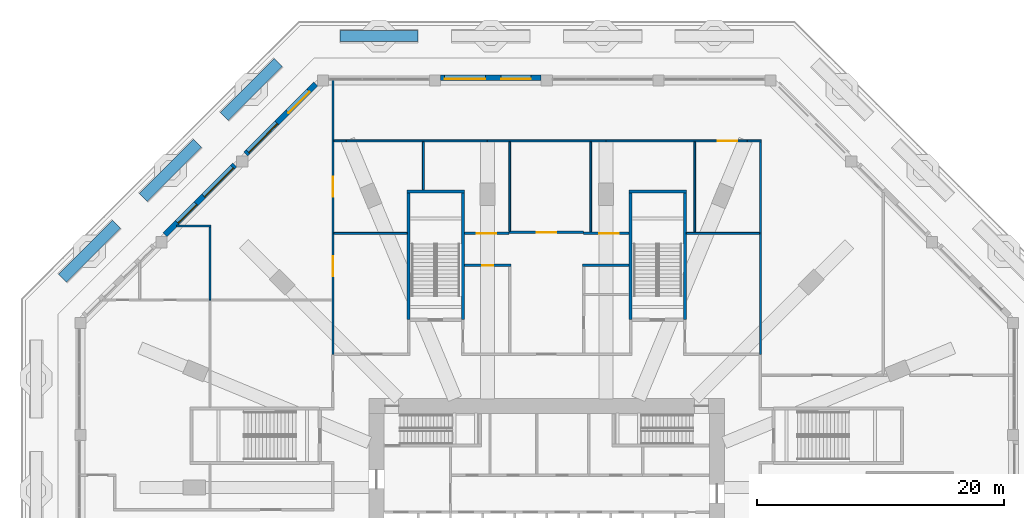
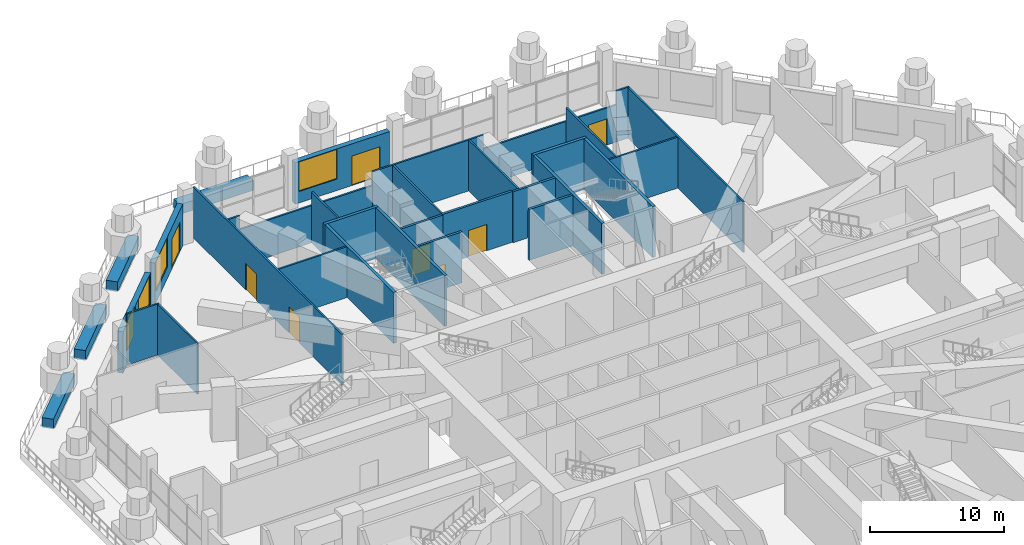
# One storey, part 20 of 25: 33 walls, 9 doors, 4 windows, 13 openings.
"""IFC4 building model written with IfcOpenShell, lengths in metres."""

from ifc_helpers import new_model, si_unit, direction, frame, frame_2d, origin, place, context, subcontext, project, spatial, rectangle, extrude, material, layer, layer_set, type_object, element, fill, save


model = new_model("IFC4")

# Units and contexts
model_context = context("Model", 3, precision=1e-05, world=origin(), true_north=direction((0.0, 1.0)))
body_context = subcontext(model_context, "Body", "Model", "MODEL_VIEW")
ifc_project = project(units=[si_unit("LENGTHUNIT", "METRE"), si_unit("AREAUNIT", "SQUARE_METRE"), si_unit("VOLUMEUNIT", "CUBIC_METRE"), si_unit("PLANEANGLEUNIT", "RADIAN"), si_unit("MASSUNIT", "GRAM", prefix="KILO")], contexts=[model_context])

# Site, building, storey
site_placement = place(None, origin())
site = spatial("IfcSite", under=ifc_project, at=site_placement, CompositionType="ELEMENT")
building_placement = place(site_placement, origin())
building = spatial("IfcBuilding", under=site, at=building_placement, Name="Msitu Wima Residences", CompositionType="ELEMENT")
storey_placement = place(building_placement, frame((0.0, 0.0, 11.0)))
storey = spatial("IfcBuildingStorey", under=building, at=storey_placement, Name="L02", CompositionType="ELEMENT", Elevation=11.0)

# Wall, openings, door, window
ifc_material_1 = material(Name="Brick (red buff mix), cavity wall of two leaves", Category="masonry")
ifc_layer_1 = layer(ifc_material_1, 0.449951171875)
ifc_layer_set_1 = layer_set([ifc_layer_1], Name="Brick (red buff mix), cavity wall of two leaves")
wall_type_1 = type_object("IfcWallType", Name="Brick infill wall BW450 podium", PredefinedType="ELEMENTEDWALL", material=ifc_layer_set_1)
wall_1_placement = place(storey_placement, frame((-0.449951171875, 38.02490234375, 0.0), z_axis=(0.0, 0.0, 1.0), x_axis=(-1.0, 0.0, 0.0)))
wall_1 = element("IfcWall", 1, at=wall_1_placement, inside=storey, type_object=wall_type_1, Name="Brick infill wall L02 N2", PredefinedType="ELEMENTEDWALL", context=body_context, shape_type="SweptSolid", body=[
    extrude(rectangle(XDim=8.1640625, YDim=0.449951171875, at=frame_2d((4.08203125, 0.0))), origin(), (0.0, 0.0, 1.0), 3.800048828125),
])
opening_1_placement = place(wall_1_placement, frame((0.841064453125, 0.0, 0.0)))
opening_1 = element("IfcOpeningElement", 2, at=opening_1_placement, cuts=wall_1, Name="Opening D02.002", PredefinedType="OPENING", context=body_context, shape_type="SweptSolid", body=[
    extrude(rectangle(XDim=2.39990234375, YDim=2.699951171875, at=frame_2d((1.199951171875, 1.35009765625))), frame((0.0, 0.23486328125, 0.0), z_axis=(0.0, -1.0, 0.0), x_axis=(1.0, 0.0, 0.0)), (0.0, 0.0, 1.0), 0.469970703125),
])
opening_2_placement = place(wall_1_placement, frame((4.531982421875, 0.0, 1.050048828125)))
opening_2 = element("IfcOpeningElement", 3, at=opening_2_placement, cuts=wall_1, Name="Opening W02.002", PredefinedType="OPENING", context=body_context, shape_type="SweptSolid", body=[
    extrude(rectangle(XDim=3.300048828125, YDim=2.699951171875, at=frame_2d((1.64990234375, 1.35009765625))), frame((0.0, 0.23486328125, 0.0), z_axis=(0.0, -1.0, 0.0), x_axis=(1.0, 0.0, 0.0)), (0.0, 0.0, 1.0), 0.469970703125),
])
ifc_material_2 = material(Name="Anodised aluminium, bronze finish, clear low-emissivity double glazing", Category="aluminium")
door_type_1 = type_object("IfcDoorType", Name="Balcony door D2400x2700", OperationType="SLIDING_TO_LEFT", PredefinedType="DOOR", material=ifc_material_2)
door_1_placement = place(opening_1_placement, origin())
door_1 = element("IfcDoor", 4, at=door_1_placement, inside=storey, type_object=door_type_1, Name="Terrace door L02 N2", OperationType="SINGLE_SWING_LEFT", OverallHeight=2.699951171875, OverallWidth=2.39990234375, PredefinedType="DOOR", context=body_context, shape_type="SweptSolid", body=[
    extrude(rectangle(XDim=2.39990234375, YDim=2.699951171875, at=frame_2d((1.199951171875, 1.35009765625))), frame((0.0, 0.1298828125, 0.0), z_axis=(0.0, -1.0, 0.0), x_axis=(1.0, 0.0, 0.0)), (0.0, 0.0, 1.0), 0.050048828125),
])
fill(opening_1, door_1)
window_type_1 = type_object("IfcWindowType", Name="Window W3300x2700", PartitioningType="DOUBLE_PANEL_VERTICAL", PredefinedType="WINDOW", material=ifc_material_2)
window_1_placement = place(opening_2_placement, origin())
window_1 = element("IfcWindow", 5, at=window_1_placement, inside=storey, type_object=window_type_1, Name="Window L02 N2.2", OverallHeight=2.699951171875, OverallWidth=3.300048828125, PartitioningType="SINGLE_PANEL", PredefinedType="WINDOW", context=body_context, shape_type="SweptSolid", body=[
    extrude(rectangle(XDim=3.300048828125, YDim=2.699951171875, at=frame_2d((1.64990234375, 1.35009765625))), frame((0.0, 0.135009765625, 0.0), z_axis=(0.0, -1.0, 0.0), x_axis=(1.0, 0.0, 0.0)), (0.0, 0.0, 1.0), 0.06005859375),
])
fill(opening_2, window_1)

wall_2_placement = place(storey_placement, frame((-18.737060546875, 37.509033203125, 0.0), z_axis=(0.0, 0.0, 1.0), x_axis=(-0.707106781187, -0.707106781187, 0.0)))
wall_2 = element("IfcWall", 6, at=wall_2_placement, inside=storey, type_object=wall_type_1, Name="Brick infill wall L02 NW0", PredefinedType="ELEMENTEDWALL", context=body_context, shape_type="SweptSolid", body=[
    extrude(rectangle(XDim=8.00048828125, YDim=0.449951171875, at=frame_2d((4.000244140625, 0.0))), origin(), (0.0, 0.0, 1.0), 3.800048828125),
])
opening_3_placement = place(wall_2_placement, frame((0.80029296875, 0.0, 0.0)))
opening_3 = element("IfcOpeningElement", 7, at=opening_3_placement, cuts=wall_2, Name="Opening D02.004", PredefinedType="OPENING", context=body_context, shape_type="SweptSolid", body=[
    extrude(rectangle(XDim=2.39990234375, YDim=2.699951171875, at=frame_2d((1.199951171875, 1.35009765625))), frame((0.0, 0.23486328125, 0.0), z_axis=(0.0, -1.0, 0.0), x_axis=(1.0, 0.0, 0.0)), (0.0, 0.0, 1.0), 0.469970703125),
])
opening_4_placement = place(wall_2_placement, frame((4.450439453125, 0.0, 1.050048828125)))
opening_4 = element("IfcOpeningElement", 8, at=opening_4_placement, cuts=wall_2, Name="Opening W02.008", PredefinedType="OPENING", context=body_context, shape_type="SweptSolid", body=[
    extrude(rectangle(XDim=3.300048828125, YDim=2.699951171875, at=frame_2d((1.64990234375, 1.35009765625))), frame((0.0, 0.23486328125, 0.0), z_axis=(0.0, -1.0, 0.0), x_axis=(1.0, 0.0, 0.0)), (0.0, 0.0, 1.0), 0.469970703125),
])
door_2_placement = place(opening_3_placement, origin())
door_2 = element("IfcDoor", 9, at=door_2_placement, inside=storey, type_object=door_type_1, Name="Terrace door L02 NW0", OperationType="SINGLE_SWING_LEFT", OverallHeight=2.699951171875, OverallWidth=2.39990234375, PredefinedType="DOOR", context=body_context, shape_type="SweptSolid", body=[
    extrude(rectangle(XDim=2.39990234375, YDim=2.699951171875, at=frame_2d((1.199951171875, 1.35009765625))), frame((0.0, 0.1298828125, 0.0), z_axis=(0.0, -1.0, 0.0), x_axis=(1.0, 0.0, 0.0)), (0.0, 0.0, 1.0), 0.050048828125),
])
fill(opening_3, door_2)
window_2_placement = place(opening_4_placement, origin())
window_2 = element("IfcWindow", 10, at=window_2_placement, inside=storey, type_object=window_type_1, Name="Window L02 NW0.2", OverallHeight=2.699951171875, OverallWidth=3.300048828125, PartitioningType="SINGLE_PANEL", PredefinedType="WINDOW", context=body_context, shape_type="SweptSolid", body=[
    extrude(rectangle(XDim=3.300048828125, YDim=2.699951171875, at=frame_2d((1.64990234375, 1.35009765625))), frame((0.0, 0.135009765625, 0.0), z_axis=(0.0, -1.0, 0.0), x_axis=(1.0, 0.0, 0.0)), (0.0, 0.0, 1.0), 0.06005859375),
])
fill(opening_4, window_2)

# Wall, openings, windows
wall_3_placement = place(storey_placement, frame((-25.29443359375, 30.95166015625, 0.0), z_axis=(0.0, 0.0, 1.0), x_axis=(-0.707106781187, -0.707106781187, 0.0)))
wall_3 = element("IfcWall", 11, at=wall_3_placement, inside=storey, type_object=wall_type_1, Name="Brick infill wall L02 NW1", PredefinedType="ELEMENTEDWALL", context=body_context, shape_type="SweptSolid", body=[
    extrude(rectangle(XDim=8.00048828125, YDim=0.449951171875, at=frame_2d((4.000244140625, 0.0))), origin(), (0.0, 0.0, 1.0), 3.800048828125),
])
opening_5_placement = place(wall_3_placement, frame((0.250244140625, 0.0, 1.050048828125)))
opening_5 = element("IfcOpeningElement", 12, at=opening_5_placement, cuts=wall_3, Name="Opening W02.009", PredefinedType="OPENING", context=body_context, shape_type="SweptSolid", body=[
    extrude(rectangle(XDim=3.300048828125, YDim=2.699951171875, at=frame_2d((1.64990234375, 1.35009765625))), frame((0.0, 0.23486328125, 0.0), z_axis=(0.0, -1.0, 0.0), x_axis=(1.0, 0.0, 0.0)), (0.0, 0.0, 1.0), 0.469970703125),
])
opening_6_placement = place(wall_3_placement, frame((4.450439453125, 0.0, 1.050048828125)))
opening_6 = element("IfcOpeningElement", 13, at=opening_6_placement, cuts=wall_3, Name="Opening W02.010", PredefinedType="OPENING", context=body_context, shape_type="SweptSolid", body=[
    extrude(rectangle(XDim=2.1298828125, YDim=2.699951171875, at=frame_2d((1.06494140625, 1.35009765625))), frame((0.0, 0.23486328125, 0.0), z_axis=(0.0, -1.0, 0.0), x_axis=(1.0, 0.0, 0.0)), (0.0, 0.0, 1.0), 0.469970703125),
])
window_type_2 = type_object("IfcWindowType", Name="Window W2130x2700", PartitioningType="DOUBLE_PANEL_VERTICAL", PredefinedType="WINDOW", material=ifc_material_2)
window_3_placement = place(opening_6_placement, origin())
window_3 = element("IfcWindow", 14, at=window_3_placement, inside=storey, type_object=window_type_2, Name="Window L02 NW1.2a", OverallHeight=2.699951171875, OverallWidth=2.1298828125, PartitioningType="SINGLE_PANEL", PredefinedType="WINDOW", context=body_context, shape_type="SweptSolid", body=[
    extrude(rectangle(XDim=2.1298828125, YDim=2.699951171875, at=frame_2d((1.06494140625, 1.35009765625))), frame((0.0, 0.135009765625, 0.0), z_axis=(0.0, -1.0, 0.0), x_axis=(1.0, 0.0, 0.0)), (0.0, 0.0, 1.0), 0.06005859375),
])
fill(opening_6, window_3)
window_4_placement = place(opening_5_placement, origin())
window_4 = element("IfcWindow", 15, at=window_4_placement, inside=storey, type_object=window_type_1, Name="Window L02 NW1.1", OverallHeight=2.699951171875, OverallWidth=3.300048828125, PartitioningType="SINGLE_PANEL", PredefinedType="WINDOW", context=body_context, shape_type="SweptSolid", body=[
    extrude(rectangle(XDim=3.300048828125, YDim=2.699951171875, at=frame_2d((1.64990234375, 1.35009765625))), frame((0.0, 0.135009765625, 0.0), z_axis=(0.0, -1.0, 0.0), x_axis=(1.0, 0.0, 0.0)), (0.0, 0.0, 1.0), 0.06005859375),
])
fill(opening_5, window_4)

# Wall, opening, door
ifc_material_3 = material(Name="Plaster")
ifc_layer_2 = layer(ifc_material_3, 0.011962890625, Name="Plaster")
ifc_material_4 = material(Name="Concrete blockwork", Category="masonry")
ifc_layer_3 = layer(ifc_material_4, 0.176025390625, Name="Concrete blockwork")
ifc_layer_4 = layer(ifc_material_3, 0.011962890625, Name="Plaster")
ifc_layer_set_2 = layer_set([ifc_layer_2, ifc_layer_3, ifc_layer_4], Name="Concrete blockwork")
wall_type_2 = type_object("IfcWallType", Name="Corridor wall FW200", PredefinedType="PARTITIONING", material=ifc_layer_set_2)
wall_4_placement = place(storey_placement, frame((-6.675048828125, 22.800048828125, 0.0), z_axis=(0.0, 0.0, 1.0), x_axis=(1.0, 0.0, 0.0)))
wall_4 = element("IfcWall", 16, at=wall_4_placement, inside=storey, type_object=wall_type_2, Name="Corridor wall", PredefinedType="PARTITIONING", context=body_context, shape_type="SweptSolid", body=[
    extrude(rectangle(XDim=3.775146484375, YDim=0.199951171875, at=frame_2d((1.8876953125, 0.0))), origin(), (0.0, 0.0, 1.0), 4.64990234375),
])
opening_7_placement = place(wall_4_placement, frame((1.449951171875, 0.0, 0.0)))
opening_7 = element("IfcOpeningElement", 17, at=opening_7_placement, cuts=wall_4, Name="Opening D02.027", PredefinedType="OPENING", context=body_context, shape_type="SweptSolid", body=[
    extrude(rectangle(XDim=0.89990234375, YDim=2.199951171875, at=frame_2d((0.449951171875, 1.10009765625))), frame((0.0, 0.10986328125, 0.0), z_axis=(0.0, -1.0, 0.0), x_axis=(1.0, 0.0, 0.0)), (0.0, 0.0, 1.0), 0.219970703125),
])
ifc_material_5 = material(Name="Timber flush door", Category="wood")
door_type_2 = type_object("IfcDoorType", Name="Service door D05 900x2200", OperationType="SINGLE_SWING_LEFT", PredefinedType="DOOR", material=ifc_material_5)
door_3_placement = place(opening_7_placement, origin())
door_3 = element("IfcDoor", 18, at=door_3_placement, inside=storey, type_object=door_type_2, Name="Service door", OperationType="SINGLE_SWING_LEFT", OverallHeight=2.199951171875, OverallWidth=0.89990234375, PredefinedType="DOOR", context=body_context, shape_type="SweptSolid", body=[
    extrude(rectangle(XDim=0.89990234375, YDim=2.199951171875, at=frame_2d((0.449951171875, 1.10009765625))), frame((0.0, 0.02490234375, 0.0), z_axis=(0.0, -1.0, 0.0), x_axis=(1.0, 0.0, 0.0)), (0.0, 0.0, 1.0), 0.050048828125),
])
fill(opening_7, door_3)

wall_5_placement = place(storey_placement, frame((-6.675048828125, 25.39990234375, 0.0), z_axis=(0.0, 0.0, 1.0), x_axis=(1.0, 0.0, 0.0)))
wall_5 = element("IfcWall", 19, at=wall_5_placement, inside=storey, type_object=wall_type_2, Name="Corridor wall", PredefinedType="PARTITIONING", context=body_context, shape_type="SweptSolid", body=[
    extrude(rectangle(XDim=3.60009765625, YDim=0.199951171875, at=frame_2d((1.800048828125, 0.0))), origin(), (0.0, 0.0, 1.0), 4.64990234375),
])
opening_8_placement = place(wall_5_placement, frame((1.0, 0.0, 0.0)))
opening_8 = element("IfcOpeningElement", 20, at=opening_8_placement, cuts=wall_5, Name="Opening D02.034", PredefinedType="OPENING", context=body_context, shape_type="SweptSolid", body=[
    extrude(rectangle(XDim=1.60009765625, YDim=2.39990234375, at=frame_2d((0.800048828125, 1.199951171875))), frame((0.0, 0.10986328125, 0.0), z_axis=(0.0, -1.0, 0.0), x_axis=(1.0, 0.0, 0.0)), (0.0, 0.0, 1.0), 0.219970703125),
])
ifc_material_6 = material(Name="Black aluminium glazed door", Category="aluminium")
door_type_3 = type_object("IfcDoorType", Name="Amenity door D10 1600x2400", OperationType="DOUBLE_DOOR_SINGLE_SWING", PredefinedType="DOOR", material=ifc_material_6)
door_4_placement = place(opening_8_placement, origin())
door_4 = element("IfcDoor", 21, at=door_4_placement, inside=storey, type_object=door_type_3, Name="Amenity door", OperationType="DOUBLE_DOOR_SINGLE_SWING", OverallHeight=2.39990234375, OverallWidth=1.60009765625, PredefinedType="DOOR", context=body_context, shape_type="SweptSolid", body=[
    extrude(rectangle(XDim=1.60009765625, YDim=2.39990234375, at=frame_2d((0.800048828125, 1.199951171875))), frame((0.0, 0.02490234375, 0.0), z_axis=(0.0, -1.0, 0.0), x_axis=(1.0, 0.0, 0.0)), (0.0, 0.0, 1.0), 0.050048828125),
])
fill(opening_8, door_4)

wall_6_placement = place(storey_placement, frame((-3.074951171875, 25.4853515625, 0.0), z_axis=(0.0, 0.0, 1.0), x_axis=(1.0, 0.0, 0.0)))
wall_6 = element("IfcWall", 22, at=wall_6_placement, inside=storey, type_object=wall_type_2, Name="Corridor wall", PredefinedType="PARTITIONING", context=body_context, shape_type="SweptSolid", body=[
    extrude(rectangle(XDim=6.074951171875, YDim=0.199951171875, at=frame_2d((3.03759765625, 0.0))), origin(), (0.0, 0.0, 1.0), 4.64990234375),
])
opening_9_placement = place(wall_6_placement, frame((2.25, 0.0, 0.0)))
opening_9 = element("IfcOpeningElement", 23, at=opening_9_placement, cuts=wall_6, Name="Opening D02.035", PredefinedType="OPENING", context=body_context, shape_type="SweptSolid", body=[
    extrude(rectangle(XDim=1.60009765625, YDim=2.39990234375, at=frame_2d((0.800048828125, 1.199951171875))), frame((0.0, 0.10986328125, 0.0), z_axis=(0.0, -1.0, 0.0), x_axis=(1.0, 0.0, 0.0)), (0.0, 0.0, 1.0), 0.219970703125),
])
door_5_placement = place(opening_9_placement, origin())
door_5 = element("IfcDoor", 24, at=door_5_placement, inside=storey, type_object=door_type_3, Name="Amenity door", OperationType="DOUBLE_DOOR_SINGLE_SWING", OverallHeight=2.39990234375, OverallWidth=1.60009765625, PredefinedType="DOOR", context=body_context, shape_type="SweptSolid", body=[
    extrude(rectangle(XDim=1.60009765625, YDim=2.39990234375, at=frame_2d((0.800048828125, 1.199951171875))), frame((0.0, 0.02490234375, 0.0), z_axis=(0.0, -1.0, 0.0), x_axis=(1.0, 0.0, 0.0)), (0.0, 0.0, 1.0), 0.050048828125),
])
fill(opening_9, door_5)

# Wall
wall_7_placement = place(storey_placement, frame((2.89990234375, 22.800048828125, 0.0), z_axis=(0.0, 0.0, 1.0), x_axis=(1.0, 0.0, 0.0)))
element("IfcWall", 25, at=wall_7_placement, inside=storey, type_object=wall_type_2, Name="Corridor wall", PredefinedType="PARTITIONING", context=body_context, shape_type="SweptSolid", body=[
    extrude(rectangle(XDim=3.755126953125, YDim=0.199951171875, at=frame_2d((1.87744140625, 0.0))), origin(), (0.0, 0.0, 1.0), 4.64990234375),
])

# Wall, opening, door
wall_8_placement = place(storey_placement, frame((3.0, 25.39990234375, 0.0), z_axis=(0.0, 0.0, 1.0), x_axis=(1.0, 0.0, 0.0)))
wall_8 = element("IfcWall", 26, at=wall_8_placement, inside=storey, type_object=wall_type_2, Name="Corridor wall", PredefinedType="PARTITIONING", context=body_context, shape_type="SweptSolid", body=[
    extrude(rectangle(XDim=3.675048828125, YDim=0.199951171875, at=frame_2d((1.83740234375, 0.0))), origin(), (0.0, 0.0, 1.0), 4.64990234375),
])
opening_10_placement = place(wall_8_placement, frame((1.25, 0.0, 0.0)))
opening_10 = element("IfcOpeningElement", 27, at=opening_10_placement, cuts=wall_8, Name="Opening D02.036", PredefinedType="OPENING", context=body_context, shape_type="SweptSolid", body=[
    extrude(rectangle(XDim=1.60009765625, YDim=2.39990234375, at=frame_2d((0.800048828125, 1.199951171875))), frame((0.0, 0.10986328125, 0.0), z_axis=(0.0, -1.0, 0.0), x_axis=(1.0, 0.0, 0.0)), (0.0, 0.0, 1.0), 0.219970703125),
])
door_6_placement = place(opening_10_placement, origin())
door_6 = element("IfcDoor", 28, at=door_6_placement, inside=storey, type_object=door_type_3, Name="Amenity door", OperationType="DOUBLE_DOOR_SINGLE_SWING", OverallHeight=2.39990234375, OverallWidth=1.60009765625, PredefinedType="DOOR", context=body_context, shape_type="SweptSolid", body=[
    extrude(rectangle(XDim=1.60009765625, YDim=2.39990234375, at=frame_2d((0.800048828125, 1.199951171875))), frame((0.0, 0.02490234375, 0.0), z_axis=(0.0, -1.0, 0.0), x_axis=(1.0, 0.0, 0.0)), (0.0, 0.0, 1.0), 0.050048828125),
])
fill(opening_10, door_6)

# Walls
ifc_layer_5 = layer(ifc_material_3, 0.011962890625, Name="Plaster")
ifc_layer_6 = layer(ifc_material_4, 0.1259765625, Name="Concrete blockwork")
ifc_layer_7 = layer(ifc_material_3, 0.011962890625, Name="Plaster")
ifc_layer_set_3 = layer_set([ifc_layer_5, ifc_layer_6, ifc_layer_7], Name="Concrete blockwork")
wall_type_3 = type_object("IfcWallType", Name="Partition PW150", PredefinedType="PARTITIONING", material=ifc_layer_set_3)
wall_9_placement = place(storey_placement, frame((-30.005615234375, 26.0, 0.0), z_axis=(0.0, 0.0, 1.0), x_axis=(1.0, 0.0, 0.0)))
element("IfcWall", 29, at=wall_9_placement, inside=storey, type_object=wall_type_3, Name="Partition", PredefinedType="PARTITIONING", context=body_context, shape_type="SweptSolid", body=[
    extrude(rectangle(XDim=2.788818359375, YDim=0.14990234375, at=frame_2d((1.39453125, 0.0))), origin(), (0.0, 0.0, 1.0), 4.64990234375),
])
wall_10_placement = place(storey_placement, frame((-27.2919921875, 20.0, 0.0), z_axis=(0.0, 0.0, 1.0), x_axis=(0.0, 1.0, 0.0)))
element("IfcWall", 30, at=wall_10_placement, inside=storey, type_object=wall_type_3, Name="Partition", PredefinedType="PARTITIONING", context=body_context, shape_type="SweptSolid", body=[
    extrude(rectangle(XDim=5.925048828125, YDim=0.14990234375, at=frame_2d((2.96240234375, 0.0))), origin(), (0.0, 0.0, 1.0), 4.64990234375),
])

# Wall, openings, doors
wall_11_placement = place(storey_placement, frame((-17.327880859375, 15.580078125, 0.0), z_axis=(0.0, 0.0, 1.0), x_axis=(0.0, 1.0, 0.0)))
wall_11 = element("IfcWall", 31, at=wall_11_placement, inside=storey, type_object=wall_type_3, Name="Partition", PredefinedType="PARTITIONING", context=body_context, shape_type="SweptSolid", body=[
    extrude(rectangle(XDim=22.27490234375, YDim=0.14990234375, at=frame_2d((11.137451171875, 0.0))), origin(), (0.0, 0.0, 1.0), 4.64990234375),
])
opening_11_placement = place(wall_11_placement, frame((12.800048828125, 0.0, 0.0)))
opening_11 = element("IfcOpeningElement", 32, at=opening_11_placement, cuts=wall_11, Name="Opening D02.033", PredefinedType="OPENING", context=body_context, shape_type="SweptSolid", body=[
    extrude(rectangle(XDim=1.60009765625, YDim=2.39990234375, at=frame_2d((0.800048828125, 1.199951171875))), frame((0.0, 0.0849609375, 0.0), z_axis=(0.0, -1.0, 0.0), x_axis=(1.0, 0.0, 0.0)), (0.0, 0.0, 1.0), 0.169921875),
])
opening_12_placement = place(wall_11_placement, frame((6.35009765625, 0.0, 0.0)))
opening_12 = element("IfcOpeningElement", 33, at=opening_12_placement, cuts=wall_11, Name="Opening D02.050", PredefinedType="OPENING", context=body_context, shape_type="SweptSolid", body=[
    extrude(rectangle(XDim=1.60009765625, YDim=2.39990234375, at=frame_2d((0.800048828125, 1.199951171875))), frame((0.0, 0.0849609375, 0.0), z_axis=(0.0, -1.0, 0.0), x_axis=(1.0, 0.0, 0.0)), (0.0, 0.0, 1.0), 0.169921875),
])
door_7_placement = place(opening_11_placement, origin())
door_7 = element("IfcDoor", 34, at=door_7_placement, inside=storey, type_object=door_type_3, Name="Amenity door", OperationType="DOUBLE_DOOR_SINGLE_SWING", OverallHeight=2.39990234375, OverallWidth=1.60009765625, PredefinedType="DOOR", context=body_context, shape_type="SweptSolid", body=[
    extrude(rectangle(XDim=1.60009765625, YDim=2.39990234375, at=frame_2d((0.800048828125, 1.199951171875))), frame((0.0, 0.02490234375, 0.0), z_axis=(0.0, -1.0, 0.0), x_axis=(1.0, 0.0, 0.0)), (0.0, 0.0, 1.0), 0.050048828125),
])
fill(opening_11, door_7)
door_8_placement = place(opening_12_placement, origin())
door_8 = element("IfcDoor", 35, at=door_8_placement, inside=storey, type_object=door_type_3, Name="Amenity door", OperationType="DOUBLE_DOOR_SINGLE_SWING", OverallHeight=2.39990234375, OverallWidth=1.60009765625, PredefinedType="DOOR", context=body_context, shape_type="SweptSolid", body=[
    extrude(rectangle(XDim=1.60009765625, YDim=2.39990234375, at=frame_2d((0.800048828125, 1.199951171875))), frame((0.0, 0.02490234375, 0.0), z_axis=(0.0, -1.0, 0.0), x_axis=(1.0, 0.0, 0.0)), (0.0, 0.0, 1.0), 0.050048828125),
])
fill(opening_12, door_8)

# Walls
wall_12_placement = place(storey_placement, frame((-17.2529296875, 25.39990234375, 0.0), z_axis=(0.0, 0.0, 1.0), x_axis=(1.0, 0.0, 0.0)))
element("IfcWall", 36, at=wall_12_placement, inside=storey, type_object=wall_type_3, Name="Partition", PredefinedType="PARTITIONING", context=body_context, shape_type="SweptSolid", body=[
    extrude(rectangle(XDim=5.927978515625, YDim=0.14990234375, at=frame_2d((2.9638671875, 0.0))), origin(), (0.0, 0.0, 1.0), 4.64990234375),
])
wall_13_placement = place(storey_placement, frame((-17.2529296875, 32.89990234375, 0.0), z_axis=(0.0, 0.0, 1.0), x_axis=(1.0, 0.0, 0.0)))
element("IfcWall", 37, at=wall_13_placement, inside=storey, type_object=wall_type_3, Name="Partition", PredefinedType="PARTITIONING", context=body_context, shape_type="SweptSolid", body=[
    extrude(rectangle(XDim=0.989013671875, YDim=0.14990234375, at=frame_2d((0.49462890625, 0.0))), origin(), (0.0, 0.0, 1.0), 4.64990234375),
])
wall_14_placement = place(storey_placement, frame((-16.263916015625, 32.89990234375, 0.0), z_axis=(0.0, 0.0, 1.0), x_axis=(1.0, 0.0, 0.0)))
element("IfcWall", 38, at=wall_14_placement, inside=storey, type_object=wall_type_3, Name="Partition", PredefinedType="PARTITIONING", context=body_context, shape_type="SweptSolid", body=[
    extrude(rectangle(XDim=11.4638671875, YDim=0.14990234375, at=frame_2d((5.73193359375, 0.0))), origin(), (0.0, 0.0, 1.0), 3.39990234375),
])
wall_15_placement = place(storey_placement, frame((-4.800048828125, 32.89990234375, 0.0), z_axis=(0.0, 0.0, 1.0), x_axis=(1.0, 0.0, 0.0)))
element("IfcWall", 39, at=wall_15_placement, inside=storey, type_object=wall_type_3, Name="Partition", PredefinedType="PARTITIONING", context=body_context, shape_type="SweptSolid", body=[
    extrude(rectangle(XDim=9.60009765625, YDim=0.14990234375, at=frame_2d((4.800048828125, 0.0))), origin(), (0.0, 0.0, 1.0), 4.64990234375),
])

# Wall, opening, door
wall_16_placement = place(storey_placement, frame((4.800048828125, 32.89990234375, 0.0), z_axis=(0.0, 0.0, 1.0), x_axis=(1.0, 0.0, 0.0)))
wall_16 = element("IfcWall", 40, at=wall_16_placement, inside=storey, type_object=wall_type_3, Name="Partition", PredefinedType="PARTITIONING", context=body_context, shape_type="SweptSolid", body=[
    extrude(rectangle(XDim=11.4638671875, YDim=0.14990234375, at=frame_2d((5.73193359375, 0.0))), origin(), (0.0, 0.0, 1.0), 3.39990234375),
])
opening_13_placement = place(wall_16_placement, frame((9.047119140625, 0.0, 0.0)))
opening_13 = element("IfcOpeningElement", 41, at=opening_13_placement, cuts=wall_16, Name="Opening D02.037", PredefinedType="OPENING", context=body_context, shape_type="SweptSolid", body=[
    extrude(rectangle(XDim=1.60009765625, YDim=2.39990234375, at=frame_2d((0.800048828125, 1.199951171875))), frame((0.0, 0.0849609375, 0.0), z_axis=(0.0, -1.0, 0.0), x_axis=(1.0, 0.0, 0.0)), (0.0, 0.0, 1.0), 0.169921875),
])
door_9_placement = place(opening_13_placement, origin())
door_9 = element("IfcDoor", 42, at=door_9_placement, inside=storey, type_object=door_type_3, Name="Amenity door", OperationType="DOUBLE_DOOR_SINGLE_SWING", OverallHeight=2.39990234375, OverallWidth=1.60009765625, PredefinedType="DOOR", context=body_context, shape_type="SweptSolid", body=[
    extrude(rectangle(XDim=1.60009765625, YDim=2.39990234375, at=frame_2d((0.800048828125, 1.199951171875))), frame((0.0, 0.02490234375, 0.0), z_axis=(0.0, -1.0, 0.0), x_axis=(1.0, 0.0, 0.0)), (0.0, 0.0, 1.0), 0.050048828125),
])
fill(opening_13, door_9)

# Walls
wall_17_placement = place(storey_placement, frame((16.263916015625, 32.89990234375, 0.0), z_axis=(0.0, 0.0, 1.0), x_axis=(1.0, 0.0, 0.0)))
element("IfcWall", 43, at=wall_17_placement, inside=storey, type_object=wall_type_3, Name="Partition", PredefinedType="PARTITIONING", context=body_context, shape_type="SweptSolid", body=[
    extrude(rectangle(XDim=1.137939453125, YDim=0.14990234375, at=frame_2d((0.56884765625, 0.0))), origin(), (0.0, 0.0, 1.0), 4.64990234375),
])
wall_18_placement = place(storey_placement, frame((-10.0, 28.925048828125, 0.0), z_axis=(0.0, 0.0, 1.0), x_axis=(0.0, 1.0, 0.0)))
element("IfcWall", 44, at=wall_18_placement, inside=storey, type_object=wall_type_3, Name="Partition", PredefinedType="PARTITIONING", context=body_context, shape_type="SweptSolid", body=[
    extrude(rectangle(XDim=3.89990234375, YDim=0.14990234375, at=frame_2d((1.949951171875, 0.0))), origin(), (0.0, 0.0, 1.0), 4.64990234375),
])
wall_19_placement = place(storey_placement, frame((-3.0, 25.565185546875, 0.0), z_axis=(0.0, 0.0, 1.0), x_axis=(0.0, 1.0, 0.0)))
element("IfcWall", 45, at=wall_19_placement, inside=storey, type_object=wall_type_3, Name="Partition", PredefinedType="PARTITIONING", context=body_context, shape_type="SweptSolid", body=[
    extrude(rectangle(XDim=7.259765625, YDim=0.14990234375, at=frame_2d((3.6298828125, 0.0))), origin(), (0.0, 0.0, 1.0), 4.64990234375),
])
wall_20_placement = place(storey_placement, frame((3.5712890625, 25.5, 0.0), z_axis=(0.0, 0.0, 1.0), x_axis=(0.0, 1.0, 0.0)))
element("IfcWall", 46, at=wall_20_placement, inside=storey, type_object=wall_type_3, Name="Partition", PredefinedType="PARTITIONING", context=body_context, shape_type="SweptSolid", body=[
    extrude(rectangle(XDim=7.324951171875, YDim=0.14990234375, at=frame_2d((3.66259765625, 0.0))), origin(), (0.0, 0.0, 1.0), 4.64990234375),
])
wall_21_placement = place(storey_placement, frame((11.324951171875, 25.39990234375, 0.0), z_axis=(0.0, 0.0, 1.0), x_axis=(1.0, 0.0, 0.0)))
element("IfcWall", 47, at=wall_21_placement, inside=storey, type_object=wall_type_3, Name="Partition", PredefinedType="PARTITIONING", context=body_context, shape_type="SweptSolid", body=[
    extrude(rectangle(XDim=5.927978515625, YDim=0.14990234375, at=frame_2d((2.9638671875, 0.0))), origin(), (0.0, 0.0, 1.0), 4.64990234375),
])
wall_22_placement = place(storey_placement, frame((12.0, 25.47509765625, 0.0), z_axis=(0.0, 0.0, 1.0), x_axis=(0.0, 1.0, 0.0)))
element("IfcWall", 48, at=wall_22_placement, inside=storey, type_object=wall_type_3, Name="Partition", PredefinedType="PARTITIONING", context=body_context, shape_type="SweptSolid", body=[
    extrude(rectangle(XDim=7.349853515625, YDim=0.14990234375, at=frame_2d((3.6748046875, 0.0))), origin(), (0.0, 0.0, 1.0), 4.64990234375),
])
wall_23_placement = place(storey_placement, frame((17.327880859375, 15.580078125, 0.0), z_axis=(0.0, 0.0, 1.0), x_axis=(0.0, 1.0, 0.0)))
element("IfcWall", 49, at=wall_23_placement, inside=storey, type_object=wall_type_3, Name="Partition", PredefinedType="PARTITIONING", context=body_context, shape_type="SweptSolid", body=[
    extrude(rectangle(XDim=17.243896484375, YDim=0.14990234375, at=frame_2d((8.6220703125, 0.0))), origin(), (0.0, 0.0, 1.0), 4.64990234375),
])
ifc_material_7 = material(Name="Concrete C50/60", Category="concrete")
ifc_layer_8 = layer(ifc_material_7, 0.25)
ifc_layer_set_4 = layer_set([ifc_layer_8], Name="Concrete C50/60")
wall_type_4 = type_object("IfcWallType", Name="Stair enclosure wall SW250", PredefinedType="SHEAR", material=ifc_layer_set_4)
wall_24_placement = place(storey_placement, frame((-11.199951171875, 18.39990234375, 0.0), z_axis=(0.0, 0.0, 1.0), x_axis=(0.0, 1.0, 0.0)))
element("IfcWall", 50, at=wall_24_placement, inside=storey, type_object=wall_type_4, Name="Stair enclosure wall", PredefinedType="SHEAR", context=body_context, shape_type="SweptSolid", body=[
    extrude(rectangle(XDim=10.275146484375, YDim=0.25, at=frame_2d((5.1376953125, 0.0))), origin(), (0.0, 0.0, 1.0), 4.64990234375),
])
wall_25_placement = place(storey_placement, frame((-11.324951171875, 28.800048828125, 0.0), z_axis=(0.0, 0.0, 1.0), x_axis=(1.0, 0.0, 0.0)))
element("IfcWall", 51, at=wall_25_placement, inside=storey, type_object=wall_type_4, Name="Stair enclosure wall", PredefinedType="SHEAR", context=body_context, shape_type="SweptSolid", body=[
    extrude(rectangle(XDim=4.64990234375, YDim=0.25, at=frame_2d((2.324951171875, 0.0))), origin(), (0.0, 0.0, 1.0), 4.64990234375),
])
for number, where, z_axis, x_axis, name in (
    (52, (-6.800048828125, 18.39990234375, 0.0), (0.0, 0.0, 1.0), (0.0, 1.0, 0.0), "Stair enclosure wall"),
    (53, (6.800048828125, 18.39990234375, 0.0), (0.0, 0.0, 1.0), (0.0, 1.0, 0.0), "Stair enclosure wall"),
):
    element("IfcWall", number, at=place(storey_placement, frame(where, z_axis=z_axis, x_axis=x_axis)), inside=storey, type_object=wall_type_4, Name=name, PredefinedType="SHEAR", context=body_context, shape_type="SweptSolid", body=[
        extrude(rectangle(XDim=10.275146484375, YDim=0.25, at=frame_2d((5.1376953125, 0.0))), origin(), (0.0, 0.0, 1.0), 4.64990234375),
    ])
wall_26_placement = place(storey_placement, frame((6.675048828125, 28.800048828125, 0.0), z_axis=(0.0, 0.0, 1.0), x_axis=(1.0, 0.0, 0.0)))
element("IfcWall", 54, at=wall_26_placement, inside=storey, type_object=wall_type_4, Name="Stair enclosure wall", PredefinedType="SHEAR", context=body_context, shape_type="SweptSolid", body=[
    extrude(rectangle(XDim=4.64990234375, YDim=0.25, at=frame_2d((2.324951171875, 0.0))), origin(), (0.0, 0.0, 1.0), 4.64990234375),
])
wall_27_placement = place(storey_placement, frame((11.199951171875, 18.39990234375, 0.0), z_axis=(0.0, 0.0, 1.0), x_axis=(0.0, 1.0, 0.0)))
element("IfcWall", 55, at=wall_27_placement, inside=storey, type_object=wall_type_4, Name="Stair enclosure wall", PredefinedType="SHEAR", context=body_context, shape_type="SweptSolid", body=[
    extrude(rectangle(XDim=10.275146484375, YDim=0.25, at=frame_2d((5.1376953125, 0.0))), origin(), (0.0, 0.0, 1.0), 4.64990234375),
])
ifc_material_8 = material(Name="Facing brick")
ifc_layer_9 = layer(ifc_material_8, 0.06494140625, Name="Facing brick")
ifc_material_9 = material(Name="Concrete C40/50", Category="concrete")
ifc_layer_10 = layer(ifc_material_9, 0.381103515625, Name="Concrete C40/50")
ifc_material_10 = material(Name="Waterproofing membrane")
ifc_layer_11 = layer(ifc_material_10, 0.00390625, Name="Waterproofing membrane")
ifc_material_11 = material(Name="Planting soil and planting")
ifc_layer_12 = layer(ifc_material_11, 0.449951171875, Name="Planting soil and planting")
ifc_layer_set_5 = layer_set([ifc_layer_9, ifc_layer_10, ifc_layer_11, ifc_layer_12], Name="Concrete C40/50")
wall_type_5 = type_object("IfcWallType", Name="Terrace planter PLANTER PL900", PredefinedType="USERDEFINED", material=ifc_layer_set_5)
wall_28_placement = place(storey_placement, frame((-10.4140625, 41.39990234375, 0.0), z_axis=(0.0, 0.0, 1.0), x_axis=(-1.0, 0.0, 0.0)))
element("IfcWall", 56, at=wall_28_placement, inside=storey, type_object=wall_type_5, Name="Terrace planter L02 N3", ObjectType="PLANTER", PredefinedType="USERDEFINED", context=body_context, shape_type="SweptSolid", body=[
    extrude(rectangle(XDim=6.36376953125, YDim=0.89990234375, at=frame_2d((3.181884765625, 0.0))), origin(), (0.0, 0.0, 1.0), 0.89990234375),
])
wall_29_placement = place(storey_placement, frame((-21.760009765625, 39.25927734375, 0.0), z_axis=(0.0, 0.0, 1.0), x_axis=(-0.707087094764, -0.707126467061, 0.0)))
element("IfcWall", 57, at=wall_29_placement, inside=storey, type_object=wall_type_5, Name="Terrace planter L02 NW0", ObjectType="PLANTER", PredefinedType="USERDEFINED", context=body_context, shape_type="SweptSolid", body=[
    extrude(rectangle(XDim=6.200927734375, YDim=0.89990234375, at=frame_2d((3.1005859375, 0.0))), origin(), (0.0, 0.0, 1.0), 0.89990234375),
])
wall_30_placement = place(storey_placement, frame((-28.3173828125, 32.701904296875, 0.0), z_axis=(0.0, 0.0, 1.0), x_axis=(-0.707106781187, -0.707106781187, 0.0)))
element("IfcWall", 58, at=wall_30_placement, inside=storey, type_object=wall_type_5, Name="Terrace planter L02 NW1", ObjectType="PLANTER", PredefinedType="USERDEFINED", context=body_context, shape_type="SweptSolid", body=[
    extrude(rectangle(XDim=6.20068359375, YDim=0.89990234375, at=frame_2d((3.100341796875, 0.0))), origin(), (0.0, 0.0, 1.0), 0.89990234375),
])
wall_31_placement = place(storey_placement, frame((-34.87451171875, 26.14453125, 0.0), z_axis=(0.0, 0.0, 1.0), x_axis=(-0.707126467061, -0.707087094764, 0.0)))
element("IfcWall", 59, at=wall_31_placement, inside=storey, type_object=wall_type_5, Name="Terrace planter L02 NW2", ObjectType="PLANTER", PredefinedType="USERDEFINED", context=body_context, shape_type="SweptSolid", body=[
    extrude(rectangle(XDim=6.200927734375, YDim=0.89990234375, at=frame_2d((3.1005859375, 0.0))), origin(), (0.0, 0.0, 1.0), 0.89990234375),
])

save(model, "model.ifc")
